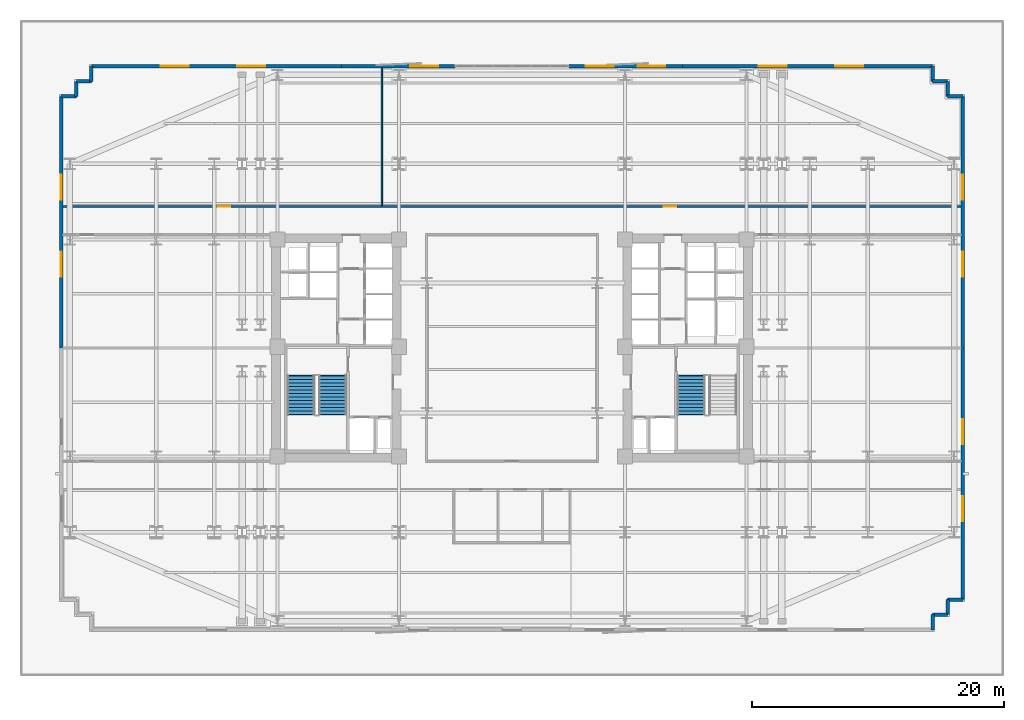
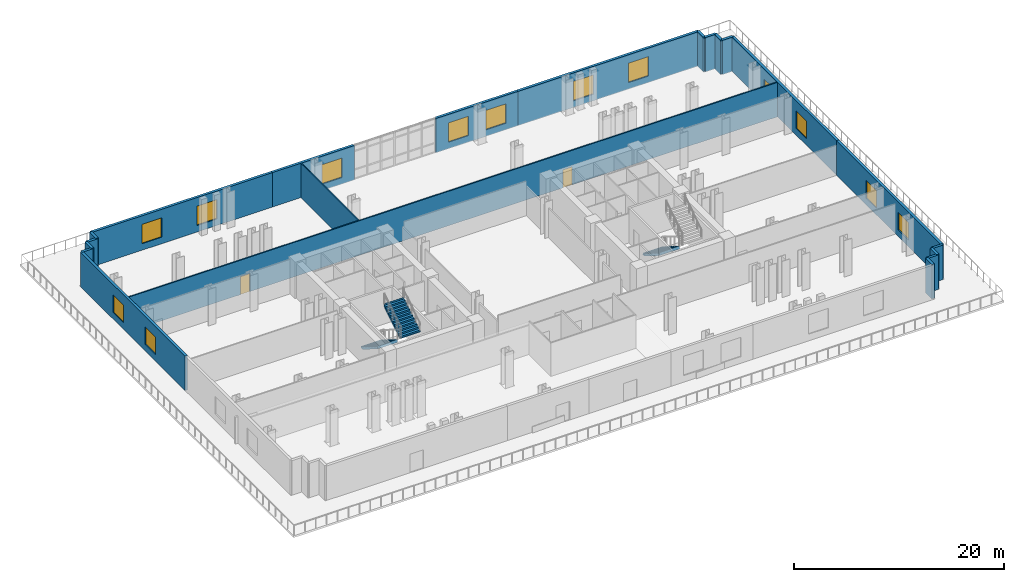
# One storey, part 9 of 14: 21 walls, 13 windows, 3 stair flights, 2 doors, 15 openings, 2 elements without a shape of their own.
"""IFC4 building model written with IfcOpenShell, lengths in metres."""

from ifc_helpers import new_model, si_unit, direction, frame, frame_2d, origin, place, context, subcontext, project, spatial, polyline, rectangle, outline, extrude, material, layer, layer_set, type_object, element, fill, aggregate, save


model = new_model("IFC4")

# Units and contexts
model_context = context("Model", 3, precision=1e-05, world=origin(), true_north=direction((0.0, 1.0)))
body_context = subcontext(model_context, "Body", "Model", "MODEL_VIEW")
ifc_project = project(units=[si_unit("LENGTHUNIT", "METRE"), si_unit("AREAUNIT", "SQUARE_METRE"), si_unit("VOLUMEUNIT", "CUBIC_METRE"), si_unit("PLANEANGLEUNIT", "RADIAN"), si_unit("MASSUNIT", "GRAM", prefix="KILO")], contexts=[model_context])

# Site, building, storey
site_placement = place(None, origin())
site = spatial("IfcSite", under=ifc_project, at=site_placement, CompositionType="ELEMENT")
building_placement = place(site_placement, origin())
building = spatial("IfcBuilding", under=site, at=building_placement, Name="Velakula Bourse", CompositionType="ELEMENT")
storey_placement = place(building_placement, frame((0.0, 0.0, 27.0)))
storey = spatial("IfcBuildingStorey", under=building, at=storey_placement, Name="L06", CompositionType="ELEMENT", Elevation=27.0)

# Wall, openings, windows
ifc_material_1 = material(Name="Red kilned clay facing brick masonry", Category="masonry")
ifc_layer_1 = layer(ifc_material_1, 0.280029296875, Name="Red kilned clay facing brick masonry", Category="masonry")
ifc_layer_set_1 = layer_set([ifc_layer_1], Name="Red kilned clay facing brick masonry")
wall_type_1 = type_object("IfcWallType", Name="WL-EXT-BRK-280", PredefinedType="STANDARD", material=ifc_layer_set_1)
wall_1_placement = place(storey_placement, frame((-33.340087890625, 22.340087890625, 0.0), z_axis=(0.0, 0.0, 1.0), x_axis=(1.0, 0.0, 0.0)))
wall_1 = element("IfcWall", 1, at=wall_1_placement, inside=storey, type_object=wall_type_1, Name="L06 N Brick Spandrel Wall B1", PredefinedType="STANDARD", context=body_context, shape_type="SweptSolid", body=[
    extrude(rectangle(XDim=19.840087890625, YDim=0.280029296875, at=frame_2d((9.919921875, 0.0))), origin(), (0.0, 0.0, 1.0), 4.0),
])
opening_1_placement = place(wall_1_placement, frame((5.51318359375, 0.0, 0.760009765625)))
opening_1 = element("IfcOpeningElement", 2, at=opening_1_placement, cuts=wall_1, Name="Opening W-08", PredefinedType="OPENING", context=body_context, shape_type="SweptSolid", body=[
    extrude(rectangle(XDim=2.199951171875, YDim=2.25, at=frame_2d((1.10009765625, 1.125))), frame((0.0, 0.14990234375, 0.0), z_axis=(0.0, -1.0, 0.0), x_axis=(1.0, 0.0, 0.0)), (0.0, 0.0, 1.0), 0.300048828125),
])
opening_2_placement = place(wall_1_placement, frame((11.57666015625, 0.0, 0.760009765625)))
opening_2 = element("IfcOpeningElement", 3, at=opening_2_placement, cuts=wall_1, Name="Opening W-08", PredefinedType="OPENING", context=body_context, shape_type="SweptSolid", body=[
    extrude(rectangle(XDim=2.199951171875, YDim=2.25, at=frame_2d((1.10009765625, 1.125))), frame((0.0, 0.14990234375, 0.0), z_axis=(0.0, -1.0, 0.0), x_axis=(1.0, 0.0, 0.0)), (0.0, 0.0, 1.0), 0.300048828125),
])
ifc_material_2 = material(Name="Double-glazed solar-control Low-E glass", Category="glass")
window_type_1 = type_object("IfcWindowType", Name="WIN-SL-2200x2500", PartitioningType="DOUBLE_PANEL_VERTICAL", PredefinedType="WINDOW", material=ifc_material_2)
window_1_placement = place(opening_1_placement, origin())
window_1 = element("IfcWindow", 4, at=window_1_placement, inside=storey, type_object=window_type_1, Name="L06 Deep-Set Recessed Window 1", OverallHeight=2.25, OverallWidth=2.199951171875, PartitioningType="DOUBLE_PANEL_VERTICAL", PredefinedType="WINDOW", context=body_context, shape_type="SweptSolid", body=[
    extrude(rectangle(XDim=2.199951171875, YDim=2.25, at=frame_2d((1.10009765625, 1.125))), frame((0.0, 0.030029296875, 0.0), z_axis=(0.0, -1.0, 0.0), x_axis=(1.0, 0.0, 0.0)), (0.0, 0.0, 1.0), 0.06005859375),
])
fill(opening_1, window_1)
window_2_placement = place(opening_2_placement, origin())
window_2 = element("IfcWindow", 5, at=window_2_placement, inside=storey, type_object=window_type_1, Name="L06 Deep-Set Recessed Window 2", OverallHeight=2.25, OverallWidth=2.199951171875, PartitioningType="DOUBLE_PANEL_VERTICAL", PredefinedType="WINDOW", context=body_context, shape_type="SweptSolid", body=[
    extrude(rectangle(XDim=2.199951171875, YDim=2.25, at=frame_2d((1.10009765625, 1.125))), frame((0.0, 0.030029296875, 0.0), z_axis=(0.0, -1.0, 0.0), x_axis=(1.0, 0.0, 0.0)), (0.0, 0.0, 1.0), 0.06005859375),
])
fill(opening_2, window_2)

# Wall, opening, window
wall_2_placement = place(storey_placement, frame((-13.5, 22.340087890625, 0.0), z_axis=(0.0, 0.0, 1.0), x_axis=(1.0, 0.0, 0.0)))
wall_2 = element("IfcWall", 6, at=wall_2_placement, inside=storey, type_object=wall_type_1, Name="L06 N Brick Spandrel Wall B2", PredefinedType="STANDARD", context=body_context, shape_type="SweptSolid", body=[
    extrude(rectangle(XDim=9.0, YDim=0.280029296875, at=frame_2d((4.5, 0.0))), origin(), (0.0, 0.0, 1.0), 4.0),
])
opening_3_placement = place(wall_2_placement, frame((5.449951171875, 0.0, 0.760009765625)))
opening_3 = element("IfcOpeningElement", 7, at=opening_3_placement, cuts=wall_2, Name="Opening W-08", PredefinedType="OPENING", context=body_context, shape_type="SweptSolid", body=[
    extrude(rectangle(XDim=2.199951171875, YDim=2.25, at=frame_2d((1.10009765625, 1.125))), frame((0.0, 0.14990234375, 0.0), z_axis=(0.0, -1.0, 0.0), x_axis=(1.0, 0.0, 0.0)), (0.0, 0.0, 1.0), 0.300048828125),
])
window_3_placement = place(opening_3_placement, origin())
window_3 = element("IfcWindow", 8, at=window_3_placement, inside=storey, type_object=window_type_1, Name="L06 Deep-Set Recessed Window 1", OverallHeight=2.25, OverallWidth=2.199951171875, PartitioningType="DOUBLE_PANEL_VERTICAL", PredefinedType="WINDOW", context=body_context, shape_type="SweptSolid", body=[
    extrude(rectangle(XDim=2.199951171875, YDim=2.25, at=frame_2d((1.10009765625, 1.125))), frame((0.0, 0.030029296875, 0.0), z_axis=(0.0, -1.0, 0.0), x_axis=(1.0, 0.0, 0.0)), (0.0, 0.0, 1.0), 0.06005859375),
])
fill(opening_3, window_3)

# Wall, openings, windows
wall_3_placement = place(storey_placement, frame((4.5, 22.340087890625, 0.0), z_axis=(0.0, 0.0, 1.0), x_axis=(1.0, 0.0, 0.0)))
wall_3 = element("IfcWall", 9, at=wall_3_placement, inside=storey, type_object=wall_type_1, Name="L06 N Brick Spandrel Wall B4", PredefinedType="STANDARD", context=body_context, shape_type="SweptSolid", body=[
    extrude(rectangle(XDim=9.0, YDim=0.280029296875, at=frame_2d((4.5, 0.0))), origin(), (0.0, 0.0, 1.0), 4.0),
])
opening_4_placement = place(wall_3_placement, frame((1.35009765625, 0.0, 0.760009765625)))
opening_4 = element("IfcOpeningElement", 10, at=opening_4_placement, cuts=wall_3, Name="Opening W-08", PredefinedType="OPENING", context=body_context, shape_type="SweptSolid", body=[
    extrude(rectangle(XDim=2.199951171875, YDim=2.25, at=frame_2d((1.10009765625, 1.125))), frame((0.0, 0.14990234375, 0.0), z_axis=(0.0, -1.0, 0.0), x_axis=(1.0, 0.0, 0.0)), (0.0, 0.0, 1.0), 0.300048828125),
])
opening_5_placement = place(wall_3_placement, frame((5.449951171875, 0.0, 0.760009765625)))
opening_5 = element("IfcOpeningElement", 11, at=opening_5_placement, cuts=wall_3, Name="Opening W-08", PredefinedType="OPENING", context=body_context, shape_type="SweptSolid", body=[
    extrude(rectangle(XDim=2.199951171875, YDim=2.25, at=frame_2d((1.10009765625, 1.125))), frame((0.0, 0.14990234375, 0.0), z_axis=(0.0, -1.0, 0.0), x_axis=(1.0, 0.0, 0.0)), (0.0, 0.0, 1.0), 0.300048828125),
])
window_4_placement = place(opening_4_placement, origin())
window_4 = element("IfcWindow", 12, at=window_4_placement, inside=storey, type_object=window_type_1, Name="L06 Deep-Set Recessed Window 1", OverallHeight=2.25, OverallWidth=2.199951171875, PartitioningType="DOUBLE_PANEL_VERTICAL", PredefinedType="WINDOW", context=body_context, shape_type="SweptSolid", body=[
    extrude(rectangle(XDim=2.199951171875, YDim=2.25, at=frame_2d((1.10009765625, 1.125))), frame((0.0, 0.030029296875, 0.0), z_axis=(0.0, -1.0, 0.0), x_axis=(1.0, 0.0, 0.0)), (0.0, 0.0, 1.0), 0.06005859375),
])
fill(opening_4, window_4)
window_5_placement = place(opening_5_placement, origin())
window_5 = element("IfcWindow", 13, at=window_5_placement, inside=storey, type_object=window_type_1, Name="L06 Deep-Set Recessed Window 2", OverallHeight=2.25, OverallWidth=2.199951171875, PartitioningType="DOUBLE_PANEL_VERTICAL", PredefinedType="WINDOW", context=body_context, shape_type="SweptSolid", body=[
    extrude(rectangle(XDim=2.199951171875, YDim=2.25, at=frame_2d((1.10009765625, 1.125))), frame((0.0, 0.030029296875, 0.0), z_axis=(0.0, -1.0, 0.0), x_axis=(1.0, 0.0, 0.0)), (0.0, 0.0, 1.0), 0.06005859375),
])
fill(opening_5, window_5)

wall_4_placement = place(storey_placement, frame((13.5, 22.340087890625, 0.0), z_axis=(0.0, 0.0, 1.0), x_axis=(1.0, 0.0, 0.0)))
wall_4 = element("IfcWall", 14, at=wall_4_placement, inside=storey, type_object=wall_type_1, Name="L06 N Brick Spandrel Wall B5", PredefinedType="STANDARD", context=body_context, shape_type="SweptSolid", body=[
    extrude(rectangle(XDim=19.840087890625, YDim=0.280029296875, at=frame_2d((9.919921875, 0.0))), origin(), (0.0, 0.0, 1.0), 4.0),
])
opening_6_placement = place(wall_4_placement, frame((6.063232421875, 0.0, 0.760009765625)))
opening_6 = element("IfcOpeningElement", 15, at=opening_6_placement, cuts=wall_4, Name="Opening W-08", PredefinedType="OPENING", context=body_context, shape_type="SweptSolid", body=[
    extrude(rectangle(XDim=2.199951171875, YDim=2.25, at=frame_2d((1.10009765625, 1.125))), frame((0.0, 0.14990234375, 0.0), z_axis=(0.0, -1.0, 0.0), x_axis=(1.0, 0.0, 0.0)), (0.0, 0.0, 1.0), 0.300048828125),
])
opening_7_placement = place(wall_4_placement, frame((12.126708984375, 0.0, 0.760009765625)))
opening_7 = element("IfcOpeningElement", 16, at=opening_7_placement, cuts=wall_4, Name="Opening W-08", PredefinedType="OPENING", context=body_context, shape_type="SweptSolid", body=[
    extrude(rectangle(XDim=2.199951171875, YDim=2.25, at=frame_2d((1.10009765625, 1.125))), frame((0.0, 0.14990234375, 0.0), z_axis=(0.0, -1.0, 0.0), x_axis=(1.0, 0.0, 0.0)), (0.0, 0.0, 1.0), 0.300048828125),
])
window_6_placement = place(opening_6_placement, origin())
window_6 = element("IfcWindow", 17, at=window_6_placement, inside=storey, type_object=window_type_1, Name="L06 Deep-Set Recessed Window 1", OverallHeight=2.25, OverallWidth=2.199951171875, PartitioningType="DOUBLE_PANEL_VERTICAL", PredefinedType="WINDOW", context=body_context, shape_type="SweptSolid", body=[
    extrude(rectangle(XDim=2.199951171875, YDim=2.25, at=frame_2d((1.10009765625, 1.125))), frame((0.0, 0.030029296875, 0.0), z_axis=(0.0, -1.0, 0.0), x_axis=(1.0, 0.0, 0.0)), (0.0, 0.0, 1.0), 0.06005859375),
])
fill(opening_6, window_6)
window_7_placement = place(opening_7_placement, origin())
window_7 = element("IfcWindow", 18, at=window_7_placement, inside=storey, type_object=window_type_1, Name="L06 Deep-Set Recessed Window 2", OverallHeight=2.25, OverallWidth=2.199951171875, PartitioningType="DOUBLE_PANEL_VERTICAL", PredefinedType="WINDOW", context=body_context, shape_type="SweptSolid", body=[
    extrude(rectangle(XDim=2.199951171875, YDim=2.25, at=frame_2d((1.10009765625, 1.125))), frame((0.0, 0.030029296875, 0.0), z_axis=(0.0, -1.0, 0.0), x_axis=(1.0, 0.0, 0.0)), (0.0, 0.0, 1.0), 0.06005859375),
])
fill(opening_7, window_7)

wall_5_placement = place(storey_placement, frame((-35.739990234375, 0.0, 0.0), z_axis=(0.0, 0.0, 1.0), x_axis=(0.0, 1.0, 0.0)))
wall_5 = element("IfcWall", 19, at=wall_5_placement, inside=storey, type_object=wall_type_1, Name="L06 W Brick End Wall W2", PredefinedType="STANDARD", context=body_context, shape_type="SweptSolid", body=[
    extrude(rectangle(XDim=19.93994140625, YDim=0.280029296875, at=frame_2d((9.969970703125, 0.0))), origin(), (0.0, 0.0, 1.0), 4.0),
])
opening_8_placement = place(wall_5_placement, frame((5.646728515625, 0.0, 0.760009765625)))
opening_8 = element("IfcOpeningElement", 20, at=opening_8_placement, cuts=wall_5, Name="Opening W-05", PredefinedType="OPENING", context=body_context, shape_type="SweptSolid", body=[
    extrude(rectangle(XDim=2.0, YDim=2.050048828125, at=frame_2d((1.0, 1.02490234375))), frame((0.0, 0.14990234375, 0.0), z_axis=(0.0, -1.0, 0.0), x_axis=(1.0, 0.0, 0.0)), (0.0, 0.0, 1.0), 0.300048828125),
])
opening_9_placement = place(wall_5_placement, frame((11.743408203125, 0.0, 0.760009765625)))
opening_9 = element("IfcOpeningElement", 21, at=opening_9_placement, cuts=wall_5, Name="Opening W-05", PredefinedType="OPENING", context=body_context, shape_type="SweptSolid", body=[
    extrude(rectangle(XDim=2.0, YDim=2.050048828125, at=frame_2d((1.0, 1.02490234375))), frame((0.0, 0.14990234375, 0.0), z_axis=(0.0, -1.0, 0.0), x_axis=(1.0, 0.0, 0.0)), (0.0, 0.0, 1.0), 0.300048828125),
])
window_type_2 = type_object("IfcWindowType", Name="WIN-TWR-2000x2200", PartitioningType="DOUBLE_PANEL_VERTICAL", PredefinedType="WINDOW", material=ifc_material_2)
window_8_placement = place(opening_8_placement, origin())
window_8 = element("IfcWindow", 22, at=window_8_placement, inside=storey, type_object=window_type_2, Name="L06 Deep-Set Recessed Window 1", OverallHeight=2.050048828125, OverallWidth=2.0, PartitioningType="DOUBLE_PANEL_VERTICAL", PredefinedType="WINDOW", context=body_context, shape_type="SweptSolid", body=[
    extrude(rectangle(XDim=2.0, YDim=2.050048828125, at=frame_2d((1.0, 1.02490234375))), frame((0.0, 0.030029296875, 0.0), z_axis=(0.0, -1.0, 0.0), x_axis=(1.0, 0.0, 0.0)), (0.0, 0.0, 1.0), 0.06005859375),
])
fill(opening_8, window_8)
window_9_placement = place(opening_9_placement, origin())
window_9 = element("IfcWindow", 23, at=window_9_placement, inside=storey, type_object=window_type_2, Name="L06 Deep-Set Recessed Window 2", OverallHeight=2.050048828125, OverallWidth=2.0, PartitioningType="DOUBLE_PANEL_VERTICAL", PredefinedType="WINDOW", context=body_context, shape_type="SweptSolid", body=[
    extrude(rectangle(XDim=2.0, YDim=2.050048828125, at=frame_2d((1.0, 1.02490234375))), frame((0.0, 0.030029296875, 0.0), z_axis=(0.0, -1.0, 0.0), x_axis=(1.0, 0.0, 0.0)), (0.0, 0.0, 1.0), 0.06005859375),
])
fill(opening_9, window_9)

wall_6_placement = place(storey_placement, frame((35.739990234375, 0.0, 0.0), z_axis=(0.0, 0.0, 1.0), x_axis=(0.0, -1.0, 0.0)))
wall_6 = element("IfcWall", 24, at=wall_6_placement, inside=storey, type_object=wall_type_1, Name="L06 E Brick End Wall W1", PredefinedType="STANDARD", context=body_context, shape_type="SweptSolid", body=[
    extrude(rectangle(XDim=19.93994140625, YDim=0.280029296875, at=frame_2d((9.969970703125, 0.0))), origin(), (0.0, 0.0, 1.0), 4.0),
])
opening_10_placement = place(wall_6_placement, frame((5.646728515625, 0.0, 0.760009765625)))
opening_10 = element("IfcOpeningElement", 25, at=opening_10_placement, cuts=wall_6, Name="Opening W-05", PredefinedType="OPENING", context=body_context, shape_type="SweptSolid", body=[
    extrude(rectangle(XDim=2.0, YDim=2.050048828125, at=frame_2d((1.0, 1.02490234375))), frame((0.0, 0.14990234375, 0.0), z_axis=(0.0, -1.0, 0.0), x_axis=(1.0, 0.0, 0.0)), (0.0, 0.0, 1.0), 0.300048828125),
])
opening_11_placement = place(wall_6_placement, frame((11.743408203125, 0.0, 0.760009765625)))
opening_11 = element("IfcOpeningElement", 26, at=opening_11_placement, cuts=wall_6, Name="Opening W-05", PredefinedType="OPENING", context=body_context, shape_type="SweptSolid", body=[
    extrude(rectangle(XDim=2.0, YDim=2.050048828125, at=frame_2d((1.0, 1.02490234375))), frame((0.0, 0.14990234375, 0.0), z_axis=(0.0, -1.0, 0.0), x_axis=(1.0, 0.0, 0.0)), (0.0, 0.0, 1.0), 0.300048828125),
])
window_10_placement = place(opening_10_placement, origin())
window_10 = element("IfcWindow", 27, at=window_10_placement, inside=storey, type_object=window_type_2, Name="L06 Deep-Set Recessed Window 1", OverallHeight=2.050048828125, OverallWidth=2.0, PartitioningType="DOUBLE_PANEL_VERTICAL", PredefinedType="WINDOW", context=body_context, shape_type="SweptSolid", body=[
    extrude(rectangle(XDim=2.0, YDim=2.050048828125, at=frame_2d((1.0, 1.02490234375))), frame((0.0, 0.030029296875, 0.0), z_axis=(0.0, -1.0, 0.0), x_axis=(1.0, 0.0, 0.0)), (0.0, 0.0, 1.0), 0.06005859375),
])
fill(opening_10, window_10)
window_11_placement = place(opening_11_placement, origin())
window_11 = element("IfcWindow", 28, at=window_11_placement, inside=storey, type_object=window_type_2, Name="L06 Deep-Set Recessed Window 2", OverallHeight=2.050048828125, OverallWidth=2.0, PartitioningType="DOUBLE_PANEL_VERTICAL", PredefinedType="WINDOW", context=body_context, shape_type="SweptSolid", body=[
    extrude(rectangle(XDim=2.0, YDim=2.050048828125, at=frame_2d((1.0, 1.02490234375))), frame((0.0, 0.030029296875, 0.0), z_axis=(0.0, -1.0, 0.0), x_axis=(1.0, 0.0, 0.0)), (0.0, 0.0, 1.0), 0.06005859375),
])
fill(opening_11, window_11)

wall_7_placement = place(storey_placement, frame((35.739990234375, 19.93994140625, 0.0), z_axis=(0.0, 0.0, 1.0), x_axis=(0.0, -1.0, 0.0)))
wall_7 = element("IfcWall", 29, at=wall_7_placement, inside=storey, type_object=wall_type_1, Name="L06 E Brick End Wall W2", PredefinedType="STANDARD", context=body_context, shape_type="SweptSolid", body=[
    extrude(rectangle(XDim=19.93994140625, YDim=0.280029296875, at=frame_2d((9.969970703125, 0.0))), origin(), (0.0, 0.0, 1.0), 4.0),
])
opening_12_placement = place(wall_7_placement, frame((6.19677734375, 0.0, 0.760009765625)))
opening_12 = element("IfcOpeningElement", 30, at=opening_12_placement, cuts=wall_7, Name="Opening W-05", PredefinedType="OPENING", context=body_context, shape_type="SweptSolid", body=[
    extrude(rectangle(XDim=2.0, YDim=2.050048828125, at=frame_2d((1.0, 1.02490234375))), frame((0.0, 0.14990234375, 0.0), z_axis=(0.0, -1.0, 0.0), x_axis=(1.0, 0.0, 0.0)), (0.0, 0.0, 1.0), 0.300048828125),
])
opening_13_placement = place(wall_7_placement, frame((12.293212890625, 0.0, 0.760009765625)))
opening_13 = element("IfcOpeningElement", 31, at=opening_13_placement, cuts=wall_7, Name="Opening W-05", PredefinedType="OPENING", context=body_context, shape_type="SweptSolid", body=[
    extrude(rectangle(XDim=2.0, YDim=2.050048828125, at=frame_2d((1.0, 1.02490234375))), frame((0.0, 0.14990234375, 0.0), z_axis=(0.0, -1.0, 0.0), x_axis=(1.0, 0.0, 0.0)), (0.0, 0.0, 1.0), 0.300048828125),
])
window_12_placement = place(opening_12_placement, origin())
window_12 = element("IfcWindow", 32, at=window_12_placement, inside=storey, type_object=window_type_2, Name="L06 Deep-Set Recessed Window 1", OverallHeight=2.050048828125, OverallWidth=2.0, PartitioningType="DOUBLE_PANEL_VERTICAL", PredefinedType="WINDOW", context=body_context, shape_type="SweptSolid", body=[
    extrude(rectangle(XDim=2.0, YDim=2.050048828125, at=frame_2d((1.0, 1.02490234375))), frame((0.0, 0.030029296875, 0.0), z_axis=(0.0, -1.0, 0.0), x_axis=(1.0, 0.0, 0.0)), (0.0, 0.0, 1.0), 0.06005859375),
])
fill(opening_12, window_12)
window_13_placement = place(opening_13_placement, origin())
window_13 = element("IfcWindow", 33, at=window_13_placement, inside=storey, type_object=window_type_2, Name="L06 Deep-Set Recessed Window 2", OverallHeight=2.050048828125, OverallWidth=2.0, PartitioningType="DOUBLE_PANEL_VERTICAL", PredefinedType="WINDOW", context=body_context, shape_type="SweptSolid", body=[
    extrude(rectangle(XDim=2.0, YDim=2.050048828125, at=frame_2d((1.0, 1.02490234375))), frame((0.0, 0.030029296875, 0.0), z_axis=(0.0, -1.0, 0.0), x_axis=(1.0, 0.0, 0.0)), (0.0, 0.0, 1.0), 0.06005859375),
])
fill(opening_13, window_13)

# Walls
wall_8_placement = place(storey_placement, frame((33.340087890625, -22.340087890625, 0.0), z_axis=(0.0, 0.0, 1.0), x_axis=(0.0, 1.0, 0.0)))
element("IfcWall", 34, at=wall_8_placement, inside=storey, type_object=wall_type_1, Name="L06 Serrated Corner Brick Wall SE-1", PredefinedType="STANDARD", context=body_context, shape_type="SweptSolid", body=[
    extrude(rectangle(XDim=1.2001953125, YDim=0.280029296875, at=frame_2d((0.60009765625, 0.0))), origin(), (0.0, 0.0, 1.0), 4.0),
])
for number, where, z_axis, x_axis, name in (
    (35, (33.340087890625, -21.139892578125, 0.0), (0.0, 0.0, 1.0), (1.0, 0.0, 0.0), "L06 Serrated Corner Brick Wall SE-2"),
    (36, (34.5400390625, -21.139892578125, 0.0), (0.0, 0.0, 1.0), (0.0, 1.0, 0.0), "L06 Serrated Corner Brick Wall SE-3"),
    (37, (34.5400390625, -19.93994140625, 0.0), (0.0, 0.0, 1.0), (1.0, 0.0, 0.0), "L06 Serrated Corner Brick Wall SE-4"),
    (38, (35.739990234375, 19.93994140625, 0.0), (0.0, 0.0, 1.0), (-1.0, 0.0, 0.0), "L06 Serrated Corner Brick Wall NE-1"),
    (39, (34.5400390625, 19.93994140625, 0.0), (0.0, 0.0, 1.0), (0.0, 1.0, 0.0), "L06 Serrated Corner Brick Wall NE-2"),
    (40, (34.5400390625, 21.139892578125, 0.0), (0.0, 0.0, 1.0), (-1.0, 0.0, 0.0), "L06 Serrated Corner Brick Wall NE-3"),
):
    element("IfcWall", number, at=place(storey_placement, frame(where, z_axis=z_axis, x_axis=x_axis)), inside=storey, type_object=wall_type_1, Name=name, PredefinedType="STANDARD", context=body_context, shape_type="SweptSolid", body=[
        extrude(rectangle(XDim=1.199951171875, YDim=0.280029296875, at=frame_2d((0.60009765625, 0.0))), origin(), (0.0, 0.0, 1.0), 4.0),
    ])
for number, where, z_axis, x_axis, name in (
    (41, (33.340087890625, 21.139892578125, 0.0), (0.0, 0.0, 1.0), (0.0, 1.0, 0.0), "L06 Serrated Corner Brick Wall NE-4"),
    (42, (-33.340087890625, 22.340087890625, 0.0), (0.0, 0.0, 1.0), (0.0, -1.0, 0.0), "L06 Serrated Corner Brick Wall NW-1"),
):
    element("IfcWall", number, at=place(storey_placement, frame(where, z_axis=z_axis, x_axis=x_axis)), inside=storey, type_object=wall_type_1, Name=name, PredefinedType="STANDARD", context=body_context, shape_type="SweptSolid", body=[
        extrude(rectangle(XDim=1.2001953125, YDim=0.280029296875, at=frame_2d((0.60009765625, 0.0))), origin(), (0.0, 0.0, 1.0), 4.0),
    ])
for number, where, z_axis, x_axis, name in (
    (43, (-33.340087890625, 21.139892578125, 0.0), (0.0, 0.0, 1.0), (-1.0, 0.0, 0.0), "L06 Serrated Corner Brick Wall NW-2"),
    (44, (-34.5400390625, 21.139892578125, 0.0), (0.0, 0.0, 1.0), (0.0, -1.0, 0.0), "L06 Serrated Corner Brick Wall NW-3"),
    (45, (-34.5400390625, 19.93994140625, 0.0), (0.0, 0.0, 1.0), (-1.0, 0.0, 0.0), "L06 Serrated Corner Brick Wall NW-4"),
):
    element("IfcWall", number, at=place(storey_placement, frame(where, z_axis=z_axis, x_axis=x_axis)), inside=storey, type_object=wall_type_1, Name=name, PredefinedType="STANDARD", context=body_context, shape_type="SweptSolid", body=[
        extrude(rectangle(XDim=1.199951171875, YDim=0.280029296875, at=frame_2d((0.60009765625, 0.0))), origin(), (0.0, 0.0, 1.0), 4.0),
    ])
ifc_material_3 = material(Name="Fire-rated double-layer gypsum drywall partition", Category="gypsum")
ifc_layer_2 = layer(ifc_material_3, 0.1201171875, Name="Fire-rated double-layer gypsum drywall partition", Category="gypsum")
ifc_layer_set_2 = layer_set([ifc_layer_2], Name="Fire-rated double-layer gypsum drywall partition")
wall_type_2 = type_object("IfcWallType", Name="WL-PART-120", PredefinedType="STANDARD", material=ifc_layer_set_2)
wall_9_placement = place(storey_placement, frame((-10.31201171875, 11.2900390625, 0.0), z_axis=(0.0, 0.0, 1.0), x_axis=(0.0, 1.0, 0.0)))
element("IfcWall", 46, at=wall_9_placement, inside=storey, type_object=wall_type_2, Name="L06 Interior Partition WL-INT-L06-N-D1", PredefinedType="STANDARD", context=body_context, shape_type="SweptSolid", body=[
    extrude(rectangle(XDim=10.929931640625, YDim=0.1201171875, at=frame_2d((5.46484375, 0.0))), origin(), (0.0, 0.0, 1.0), 4.0),
])

# Wall, openings, doors
ifc_layer_3 = layer(ifc_material_3, 0.139892578125, Name="Fire-rated double-layer gypsum drywall partition", Category="gypsum")
ifc_layer_set_3 = layer_set([ifc_layer_3], Name="Fire-rated double-layer gypsum drywall partition")
wall_type_3 = type_object("IfcWallType", Name="WL-PART-140", PredefinedType="STANDARD", material=ifc_layer_set_3)
wall_10_placement = place(storey_placement, frame((-35.6201171875, 11.219970703125, 0.0), z_axis=(0.0, 0.0, 1.0), x_axis=(1.0, 0.0, 0.0)))
wall_10 = element("IfcWall", 47, at=wall_10_placement, inside=storey, type_object=wall_type_3, Name="L06 Interior Partition WL-INT-L06-N-CORR", PredefinedType="STANDARD", context=body_context, shape_type="SweptSolid", body=[
    extrude(rectangle(XDim=71.240234375, YDim=0.139892578125, at=frame_2d((35.6201171875, 0.0))), origin(), (0.0, 0.0, 1.0), 4.0),
])
opening_14_placement = place(wall_10_placement, frame((12.280029296875, 0.0, 0.0)))
opening_14 = element("IfcOpeningElement", 48, at=opening_14_placement, cuts=wall_10, Name="Opening D-OF1", PredefinedType="OPENING", context=body_context, shape_type="SweptSolid", body=[
    extrude(rectangle(XDim=1.0, YDim=2.080078125, at=frame_2d((0.5, 1.0400390625))), frame((0.0, 0.079833984375, 0.0), z_axis=(0.0, -1.0, 0.0), x_axis=(1.0, 0.0, 0.0)), (0.0, 0.0, 1.0), 0.159912109375),
])
opening_15_placement = place(wall_10_placement, frame((47.64794921875, 0.0, 0.0)))
opening_15 = element("IfcOpeningElement", 49, at=opening_15_placement, cuts=wall_10, Name="Opening D-OF1", PredefinedType="OPENING", context=body_context, shape_type="SweptSolid", body=[
    extrude(rectangle(XDim=1.0, YDim=2.080078125, at=frame_2d((0.5, 1.0400390625))), frame((0.0, 0.079833984375, 0.0), z_axis=(0.0, -1.0, 0.0), x_axis=(1.0, 0.0, 0.0)), (0.0, 0.0, 1.0), 0.159912109375),
])
ifc_material_4 = material(Name="Fire-rated hardwood flush architectural door", Category="wood")
door_type = type_object("IfcDoorType", Name="DR-OFF-1000", OperationType="NOTDEFINED", PredefinedType="DOOR", material=ifc_material_4)
door_1_placement = place(opening_14_placement, origin())
door_1 = element("IfcDoor", 50, at=door_1_placement, inside=storey, type_object=door_type, Name="L06 Sky Reception Foyer Door", OperationType="SINGLE_SWING_LEFT", OverallHeight=2.080078125, OverallWidth=1.0, PredefinedType="DOOR", context=body_context, shape_type="SweptSolid", body=[
    extrude(rectangle(XDim=1.0, YDim=2.080078125, at=frame_2d((0.5, 1.0400390625))), frame((0.0, 0.02490234375, 0.0), z_axis=(0.0, -1.0, 0.0), x_axis=(1.0, 0.0, 0.0)), (0.0, 0.0, 1.0), 0.050048828125),
])
fill(opening_14, door_1)
door_2_placement = place(opening_15_placement, origin())
door_2 = element("IfcDoor", 51, at=door_2_placement, inside=storey, type_object=door_type, Name="L06 Yield Curve Seminar Room Door", OperationType="SINGLE_SWING_RIGHT", OverallHeight=2.080078125, OverallWidth=1.0, PredefinedType="DOOR", context=body_context, shape_type="SweptSolid", body=[
    extrude(rectangle(XDim=1.0, YDim=2.080078125, at=frame_2d((0.5, 1.0400390625))), frame((0.0, 0.02490234375, 0.0), z_axis=(0.0, -1.0, 0.0), x_axis=(1.0, 0.0, 0.0)), (0.0, 0.0, 1.0), 0.050048828125),
])
fill(opening_15, door_2)

# Stair, stair flights
ifc_material_5 = material(Name="Concrete M45 (fck 45 MPa)", Category="concrete")
stair_type = type_object("IfcStairType", Name="STR-DOG-435", PredefinedType="HALF_TURN_STAIR", material=ifc_material_5)
stair_1_placement = place(storey_placement, origin())
stair_1 = element("IfcStair", 52, at=stair_1_placement, inside=storey, type_object=stair_type, Name="L06 West Core Exit Stair ST-W1", PredefinedType="HALF_TURN_STAIR")
ifc_layer_4 = layer(ifc_material_5, 0.199951171875, Name="Concrete M45 (fck 45 MPa)", Category="concrete")
ifc_layer_set_4 = layer_set([ifc_layer_4], Name="Concrete M45 (fck 45 MPa)")
stair_flight_type = type_object("IfcStairFlightType", Name="FLT-DOG-435", PredefinedType="STRAIGHT", material=ifc_layer_set_4)
stair_flight_1_placement = place(storey_placement, frame((-16.720947265625, -2.199951171875, 0.0), z_axis=(0.0, 0.0, 1.0), x_axis=(0.0, -1.0, 0.0)))
stair_flight_1 = element("IfcStairFlight", 53, at=stair_flight_1_placement, type_object=stair_flight_type, Name="ST-W1 flight 1", NumberOfRisers=12, NumberOfTreads=11, PredefinedType="STRAIGHT", RiserHeight=0.175, TreadLength=0.28, context=body_context, shape_type="SweptSolid", body=[
    extrude(outline(polyline([(-0.044921875, -0.0400390625), (-0.044921875, -0.036865234375), (-0.044921875, -0.033935546875), (-0.044921875, -0.03076171875), (-0.044921875, -0.027587890625), (-0.044921875, -0.024658203125), (-0.044921875, -0.021484375), (-0.044921875, -0.0185546875), (-0.044921875, -0.015380859375), (-0.044921875, -0.01220703125), (-0.044921875, -0.00927734375), (-0.044921875, -0.006103515625), (-0.044921875, -0.003173828125), (-0.044921875, 0.0), (0.0, 0.0), (0.0, 0.175048828125), (0.280029296875, 0.175048828125), (0.280029296875, 0.35009765625), (0.56005859375, 0.35009765625), (0.56005859375, 0.52490234375), (0.840087890625, 0.52490234375), (0.840087890625, 0.699951171875), (1.1201171875, 0.699951171875), (1.1201171875, 0.875), (1.39990234375, 0.875), (1.39990234375, 1.050048828125), (1.679931640625, 1.050048828125), (1.679931640625, 1.22509765625), (1.9599609375, 1.22509765625), (1.9599609375, 1.39990234375), (2.239990234375, 1.39990234375), (2.239990234375, 1.574951171875), (2.52001953125, 1.574951171875), (2.52001953125, 1.75), (2.800048828125, 1.75), (2.800048828125, 1.925048828125), (3.080078125, 1.925048828125), (3.080078125, 2.10009765625), (3.125, 2.10009765625), (3.125, 2.074951171875), (3.125, 2.0498046875), (3.125, 2.024658203125), (3.125, 1.99951171875), (3.125, 1.974365234375), (3.125, 1.94921875), (3.125, 1.924072265625), (3.125, 1.89892578125), (3.125, 1.873779296875), (3.125, 1.8486328125), (3.125, 1.823486328125), (3.125, 1.798583984375), (3.125, 1.7734375), (3.125, 1.748291015625), (0.28271484375, -0.0400390625), (-0.044921875, -0.0400390625)])), frame((0.0, 1.09912109375, 0.0), z_axis=(0.0, -1.0, 0.0), x_axis=(1.0, 0.0, 0.0)), (0.0, 0.0, 1.0), 2.197998046875),
])
stair_flight_2_placement = place(storey_placement, frame((-14.198974609375, -5.280029296875, 2.10009765625), z_axis=(0.0, 0.0, 1.0), x_axis=(0.0, 1.0, 0.0)))
stair_flight_2 = element("IfcStairFlight", 54, at=stair_flight_2_placement, type_object=stair_flight_type, Name="ST-W1 flight 2", NumberOfRisers=12, NumberOfTreads=11, PredefinedType="STRAIGHT", RiserHeight=0.175, TreadLength=0.28, context=body_context, shape_type="SweptSolid", body=[
    extrude(outline(polyline([(-0.044921875, -0.0400390625), (-0.044921875, -0.036865234375), (-0.044921875, -0.033935546875), (-0.044921875, -0.03076171875), (-0.044921875, -0.027587890625), (-0.044921875, -0.024658203125), (-0.044921875, -0.021484375), (-0.044921875, -0.0185546875), (-0.044921875, -0.015380859375), (-0.044921875, -0.01220703125), (-0.044921875, -0.00927734375), (-0.044921875, -0.006103515625), (-0.044921875, -0.003173828125), (-0.044921875, 0.0), (0.0, 0.0), (0.0, 0.175048828125), (0.280029296875, 0.175048828125), (0.280029296875, 0.35009765625), (0.56005859375, 0.35009765625), (0.56005859375, 0.52490234375), (0.840087890625, 0.52490234375), (0.840087890625, 0.699951171875), (1.1201171875, 0.699951171875), (1.1201171875, 0.875), (1.39990234375, 0.875), (1.39990234375, 1.050048828125), (1.679931640625, 1.050048828125), (1.679931640625, 1.22509765625), (1.9599609375, 1.22509765625), (1.9599609375, 1.39990234375), (2.239990234375, 1.39990234375), (2.239990234375, 1.574951171875), (2.52001953125, 1.574951171875), (2.52001953125, 1.75), (2.800048828125, 1.75), (2.800048828125, 1.925048828125), (3.080078125, 1.925048828125), (3.080078125, 2.10009765625), (3.125, 2.10009765625), (3.125, 2.074951171875), (3.125, 2.0498046875), (3.125, 2.024658203125), (3.125, 1.99951171875), (3.125, 1.974365234375), (3.125, 1.94921875), (3.125, 1.924072265625), (3.125, 1.89892578125), (3.125, 1.873779296875), (3.125, 1.8486328125), (3.125, 1.823486328125), (3.125, 1.798583984375), (3.125, 1.7734375), (3.125, 1.748291015625), (0.28271484375, -0.0400390625), (-0.044921875, -0.0400390625)])), frame((0.0, 1.09912109375, 0.0), z_axis=(0.0, -1.0, 0.0), x_axis=(1.0, 0.0, 0.0)), (0.0, 0.0, 1.0), 2.197998046875),
])
aggregate(stair_1, [stair_flight_1, stair_flight_2])

# Stair, stair flight
stair_2_placement = place(storey_placement, origin())
stair_2 = element("IfcStair", 55, at=stair_2_placement, inside=storey, type_object=stair_type, Name="L06 East Core Exit Stair ST-E1", PredefinedType="HALF_TURN_STAIR")
stair_flight_3_placement = place(storey_placement, frame((14.198974609375, -2.199951171875, 0.0), z_axis=(0.0, 0.0, 1.0), x_axis=(0.0, -1.0, 0.0)))
stair_flight_3 = element("IfcStairFlight", 56, at=stair_flight_3_placement, type_object=stair_flight_type, Name="ST-E1 flight 1", NumberOfRisers=12, NumberOfTreads=11, PredefinedType="STRAIGHT", RiserHeight=0.175, TreadLength=0.28, context=body_context, shape_type="SweptSolid", body=[
    extrude(outline(polyline([(-0.044921875, -0.0400390625), (-0.044921875, -0.036865234375), (-0.044921875, -0.033935546875), (-0.044921875, -0.03076171875), (-0.044921875, -0.027587890625), (-0.044921875, -0.024658203125), (-0.044921875, -0.021484375), (-0.044921875, -0.0185546875), (-0.044921875, -0.015380859375), (-0.044921875, -0.01220703125), (-0.044921875, -0.00927734375), (-0.044921875, -0.006103515625), (-0.044921875, -0.003173828125), (-0.044921875, 0.0), (0.0, 0.0), (0.0, 0.175048828125), (0.280029296875, 0.175048828125), (0.280029296875, 0.35009765625), (0.56005859375, 0.35009765625), (0.56005859375, 0.52490234375), (0.840087890625, 0.52490234375), (0.840087890625, 0.699951171875), (1.1201171875, 0.699951171875), (1.1201171875, 0.875), (1.39990234375, 0.875), (1.39990234375, 1.050048828125), (1.679931640625, 1.050048828125), (1.679931640625, 1.22509765625), (1.9599609375, 1.22509765625), (1.9599609375, 1.39990234375), (2.239990234375, 1.39990234375), (2.239990234375, 1.574951171875), (2.52001953125, 1.574951171875), (2.52001953125, 1.75), (2.800048828125, 1.75), (2.800048828125, 1.925048828125), (3.080078125, 1.925048828125), (3.080078125, 2.10009765625), (3.125, 2.10009765625), (3.125, 2.074951171875), (3.125, 2.0498046875), (3.125, 2.024658203125), (3.125, 1.99951171875), (3.125, 1.974365234375), (3.125, 1.94921875), (3.125, 1.924072265625), (3.125, 1.89892578125), (3.125, 1.873779296875), (3.125, 1.8486328125), (3.125, 1.823486328125), (3.125, 1.798583984375), (3.125, 1.7734375), (3.125, 1.748291015625), (0.28271484375, -0.0400390625), (-0.044921875, -0.0400390625)])), frame((0.0, 1.09912109375, 0.0), z_axis=(0.0, -1.0, 0.0), x_axis=(1.0, 0.0, 0.0)), (0.0, 0.0, 1.0), 2.197998046875),
])
aggregate(stair_2, [stair_flight_3])

save(model, "model.ifc")
